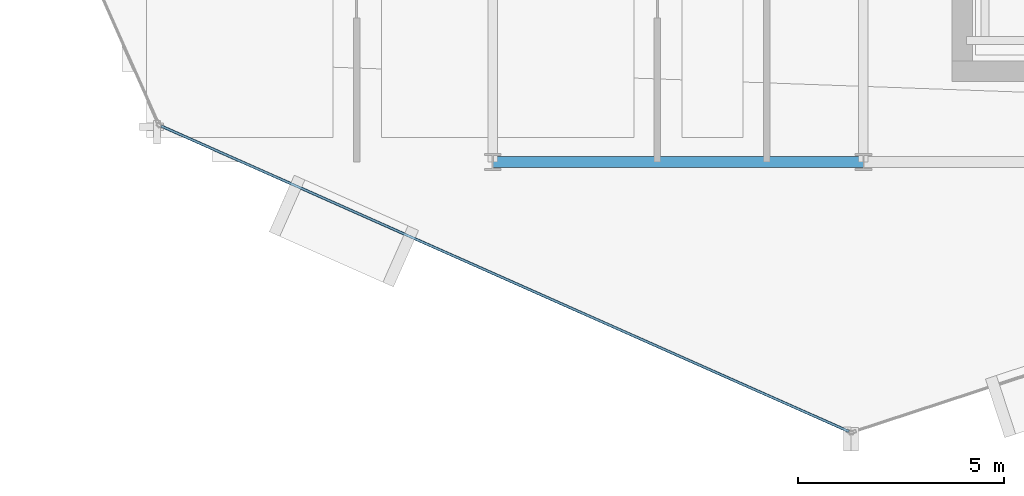
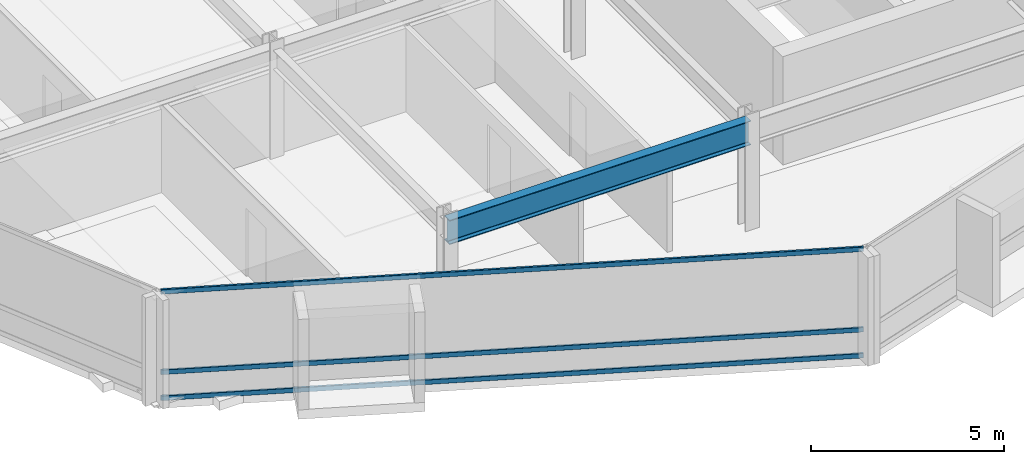
# One storey, part 3 of 27: 3 members, 1 beam, 1 element without a shape of its own.
"""IFC4 building model written with IfcOpenShell, lengths in metres."""

from ifc_helpers import new_model, si_unit, direction, frame, origin, origin_2d, place, context, subcontext, project, spatial, hollow_rectangle, i_section, extrude, material, layer, layer_set, material_profile, profile_set, type_object, element, aggregate, save


model = new_model("IFC4")

# Units and contexts
model_context = context("Model", 3, precision=1e-05, world=origin(), true_north=direction((0.0, 1.0)))
body_context = subcontext(model_context, "Body", "Model", "MODEL_VIEW")
ifc_project = project(units=[si_unit("LENGTHUNIT", "METRE"), si_unit("AREAUNIT", "SQUARE_METRE"), si_unit("VOLUMEUNIT", "CUBIC_METRE"), si_unit("PLANEANGLEUNIT", "RADIAN"), si_unit("MASSUNIT", "GRAM", prefix="KILO")], contexts=[model_context])

# Site, building, storey
site_placement = place(None, origin())
site = spatial("IfcSite", under=ifc_project, at=site_placement, CompositionType="ELEMENT")
building_placement = place(site_placement, origin())
building = spatial("IfcBuilding", under=site, at=building_placement, Name="Solvaryn Broadcast Tower", CompositionType="ELEMENT")
storey_placement = place(building_placement, frame((0.0, 0.0, 189.0)))
storey = spatial("IfcBuildingStorey", under=building, at=storey_placement, Name="L47", CompositionType="ELEMENT", Elevation=189.0)

# Beam
ifc_material_1 = material(Name="Steel ASTM A992 Grade 50", Category="steel")
ifc_material_profile_1 = material_profile(ifc_material_1, i_section(OverallWidth=0.26708984375, OverallDepth=0.76611328125, WebThickness=0.014892578125, FlangeThickness=0.023681640625, FilletRadius=0.01806640625, at=origin_2d()))
ifc_profile_set_1 = profile_set([ifc_material_profile_1], Name="Steel ASTM A992 Grade 50")
beam_type = type_object("IfcBeamType", Name="BM-SP2-W30X124", PredefinedType="USERDEFINED", material=ifc_profile_set_1)
beam_placement = place(storey_placement, frame((18.0, 9.0, 3.037109375), z_axis=(1.0, 0.0, 0.0), x_axis=(0.0, 1.0, 0.0)))
element("IfcBeam", 1, at=beam_placement, inside=storey, type_object=beam_type, Name="L47 Spandrel Beam X (18-27 @ Y=9)", ObjectType="SPANDREL", PredefinedType="USERDEFINED", context=body_context, shape_type="SweptSolid", body=[
    extrude(i_section(OverallWidth=0.26708984375, OverallDepth=0.76611328125, WebThickness=0.014892578125, FlangeThickness=0.023681640625, FilletRadius=0.01806640625, at=origin_2d()), origin(), (0.0, 0.0, 1.0), 9.0),
])

# Curtain wall, members
ifc_material_2 = material(Name="Aluminium and Terracotta Unitised Curtain Wall", Category="masonry")
ifc_layer = layer(ifc_material_2, 0.199951171875)
ifc_layer_set = layer_set([ifc_layer], Name="CW-SYS2-LOWMID")
curtain_wall_type = type_object("IfcCurtainWallType", Name="CW-SYS2-LOWMID", PredefinedType="NOTDEFINED", material=ifc_layer_set)
curtain_wall_placement = place(storey_placement, origin())
curtain_wall = element("IfcCurtainWall", 2, at=curtain_wall_placement, inside=storey, type_object=curtain_wall_type, Name="L47 Curtain Wall DR3", PredefinedType="NOTDEFINED")
ifc_material_3 = material(Name="Anodised Aluminium 6063-T6", Category="aluminium")
ifc_material_profile_2 = material_profile(ifc_material_3, hollow_rectangle(XDim=0.06494140625, YDim=0.14990234375, WallThickness=0.00390625, InnerFilletRadius=0.00390625, OuterFilletRadius=0.008056640625, at=origin_2d()))
ifc_profile_set_2 = profile_set([ifc_material_profile_2], Name="Anodised Aluminium 6063-T6")
member_type = type_object("IfcMemberType", Name="CW-TRN-150", PredefinedType="USERDEFINED", material=ifc_profile_set_2)
member_1_placement = place(storey_placement, frame((9.952880859375, 9.87353515625, 0.030029296875), z_axis=(0.913916761992, -0.405901653299, 0.0), x_axis=(0.405901653299, 0.913916761992, 0.0)))
member_1 = element("IfcMember", 3, at=member_1_placement, type_object=member_type, Name="CWS2 transom 1.1", ObjectType="TRANSOM", PredefinedType="USERDEFINED", context=body_context, shape_type="SweptSolid", body=[
    extrude(hollow_rectangle(XDim=0.06494140625, YDim=0.14990234375, WallThickness=0.00390625, InnerFilletRadius=0.00390625, OuterFilletRadius=0.008056640625, at=origin_2d()), origin(), (0.0, 0.0, 1.0), 18.27099609375),
])
member_2_placement = place(storey_placement, frame((9.952880859375, 9.87353515625, 0.85009765625), z_axis=(0.913916761992, -0.405901653299, 0.0), x_axis=(0.405901653299, 0.913916761992, 0.0)))
member_2 = element("IfcMember", 4, at=member_2_placement, type_object=member_type, Name="CWS2 transom 1.2", ObjectType="TRANSOM", PredefinedType="USERDEFINED", context=body_context, shape_type="SweptSolid", body=[
    extrude(hollow_rectangle(XDim=0.06494140625, YDim=0.14990234375, WallThickness=0.00390625, InnerFilletRadius=0.00390625, OuterFilletRadius=0.008056640625, at=origin_2d()), origin(), (0.0, 0.0, 1.0), 18.27099609375),
])
member_3_placement = place(storey_placement, frame((9.952880859375, 9.87353515625, 3.389892578125), z_axis=(0.913916761992, -0.405901653299, 0.0), x_axis=(0.405901653299, 0.913916761992, 0.0)))
member_3 = element("IfcMember", 5, at=member_3_placement, type_object=member_type, Name="CWS2 transom 1.3", ObjectType="TRANSOM", PredefinedType="USERDEFINED", context=body_context, shape_type="SweptSolid", body=[
    extrude(hollow_rectangle(XDim=0.06494140625, YDim=0.14990234375, WallThickness=0.00390625, InnerFilletRadius=0.00390625, OuterFilletRadius=0.008056640625, at=origin_2d()), origin(), (0.0, 0.0, 1.0), 18.27099609375),
])
aggregate(curtain_wall, [member_1, member_2, member_3])

save(model, "model.ifc")
